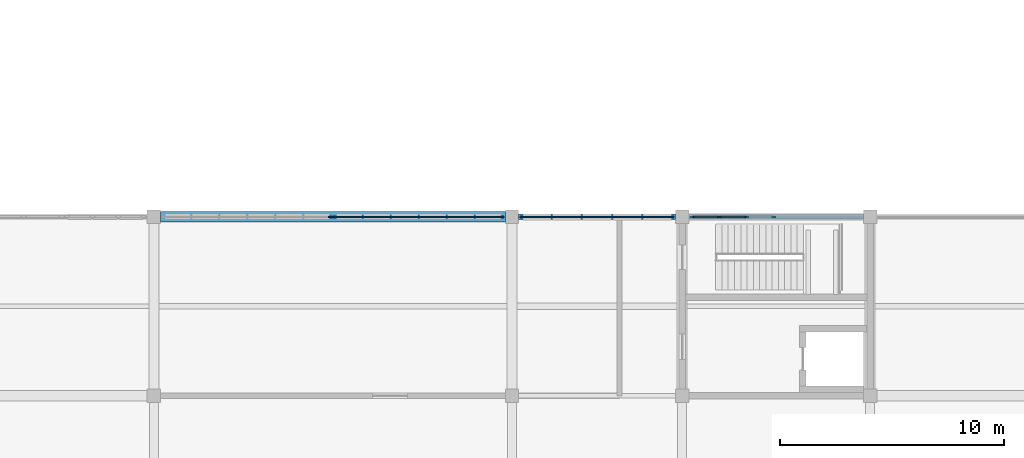
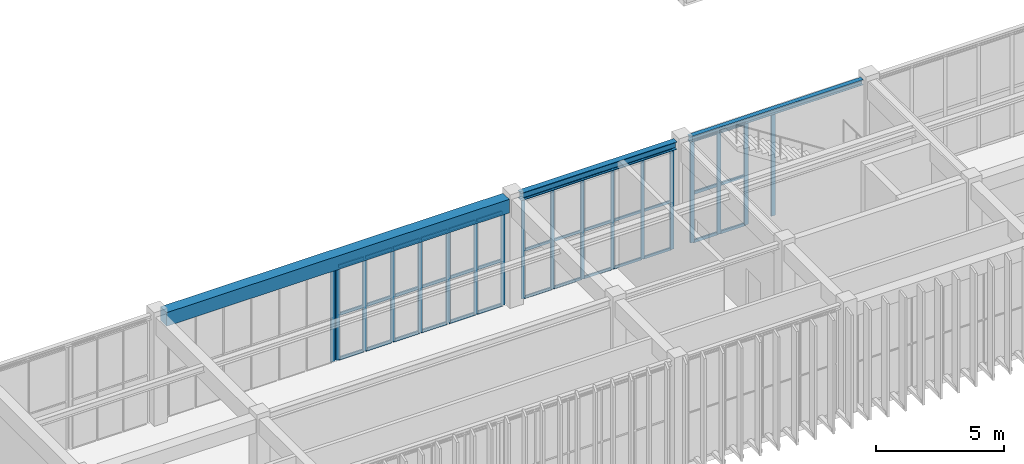
# One storey, part 14 of 64: 57 members, 3 beams, 4 elements without a shape of their own.
"""IFC4 building model written with IfcOpenShell, lengths in metres."""

from ifc_helpers import new_model, si_unit, direction, frame, origin, origin_2d, place, context, subcontext, project, spatial, rectangle, i_section, extrude, material, layer, layer_set, material_profile, profile_set, type_object, element, aggregate, save


model = new_model("IFC4")

# Units and contexts
model_context = context("Model", 3, precision=1e-05, world=origin(), true_north=direction((0.0, 1.0)))
body_context = subcontext(model_context, "Body", "Model", "MODEL_VIEW")
ifc_project = project(units=[si_unit("LENGTHUNIT", "METRE"), si_unit("AREAUNIT", "SQUARE_METRE"), si_unit("VOLUMEUNIT", "CUBIC_METRE"), si_unit("PLANEANGLEUNIT", "RADIAN"), si_unit("MASSUNIT", "GRAM", prefix="KILO")], contexts=[model_context])

# Site, building, storey
site_placement = place(None, origin())
site = spatial("IfcSite", under=ifc_project, at=site_placement, CompositionType="ELEMENT")
building_placement = place(site_placement, origin())
building = spatial("IfcBuilding", under=site, at=building_placement, Name="Cinchona Park Media Centre", CompositionType="ELEMENT")
storey_placement = place(building_placement, frame((0.0, 0.0, 10.199951171875)))
storey = spatial("IfcBuildingStorey", under=building, at=storey_placement, Name="L02", CompositionType="ELEMENT", Elevation=10.199951171875)

# Beams
ifc_material_1 = material(Name="Concrete C40/50", Category="concrete")
ifc_material_profile_1 = material_profile(ifc_material_1, rectangle(XDim=0.47998046875, YDim=0.64990234375, at=origin_2d()), Name="RB 480X650")
ifc_profile_set_1 = profile_set([ifc_material_profile_1], Name="Concrete C40/50")
beam_type_1 = type_object("IfcBeamType", Name="BEAM-B07-RB480X650", PredefinedType="BEAM", material=ifc_profile_set_1)
beam_1_placement = place(storey_placement, frame((63.10009765625, 87.60009765625, 4.8349609375), z_axis=(1.0, 0.0, 0.0), x_axis=(0.0, 1.0, 0.0)))
element("IfcBeam", 1, at=beam_1_placement, inside=storey, type_object=beam_type_1, Name="Beam B07 L02", PredefinedType="BEAM", context=body_context, shape_type="SweptSolid", body=[
    extrude(rectangle(XDim=0.47998046875, YDim=0.64990234375, at=origin_2d()), origin(), (0.0, 0.0, 1.0), 15.39990234375),
])
ifc_material_2 = material(Name="Steel S355", Category="steel")
ifc_material_profile_2 = material_profile(ifc_material_2, i_section(OverallWidth=0.257080078125, OverallDepth=0.363037109375, WebThickness=0.012939453125, FlangeThickness=0.021728515625, at=origin_2d()), Name="W360X122")
ifc_profile_set_2 = profile_set([ifc_material_profile_2], Name="Steel S355")
beam_type_2 = type_object("IfcBeamType", Name="BEAM-B08-W360X122", PredefinedType="BEAM", material=ifc_profile_set_2)
beam_2_placement = place(storey_placement, frame((79.10009765625, 87.60009765625, 4.978515625), z_axis=(1.0, 0.0, 0.0), x_axis=(0.0, 1.0, 0.0)))
element("IfcBeam", 2, at=beam_2_placement, inside=storey, type_object=beam_type_2, Name="Beam B08 L02", PredefinedType="BEAM", context=body_context, shape_type="SweptSolid", body=[
    extrude(i_section(OverallWidth=0.257080078125, OverallDepth=0.363037109375, WebThickness=0.012939453125, FlangeThickness=0.021728515625, at=origin_2d()), origin(), (0.0, 0.0, 1.0), 7.0),
])
ifc_material_3 = material(Name="Steel S355", Category="steel")
ifc_material_profile_3 = material_profile(ifc_material_3, i_section(OverallWidth=0.202880859375, OverallDepth=0.251953125, WebThickness=0.008056640625, FlangeThickness=0.013427734375, at=origin_2d()), Name="W250X58")
ifc_profile_set_3 = profile_set([ifc_material_profile_3], Name="Steel S355")
beam_type_3 = type_object("IfcBeamType", Name="BEAM-B09-W250X58", PredefinedType="BEAM", material=ifc_profile_set_3)
beam_3_placement = place(storey_placement, frame((86.699951171875, 87.60009765625, 5.033935546875), z_axis=(1.0, 0.0, 0.0), x_axis=(0.0, 1.0, 0.0)))
element("IfcBeam", 3, at=beam_3_placement, inside=storey, type_object=beam_type_3, Name="Beam B09 L02", PredefinedType="BEAM", context=body_context, shape_type="SweptSolid", body=[
    extrude(i_section(OverallWidth=0.202880859375, OverallDepth=0.251953125, WebThickness=0.008056640625, FlangeThickness=0.013427734375, at=origin_2d()), origin(), (0.0, 0.0, 1.0), 7.800048828125),
])

# Curtain wall, members
ifc_material_4 = material(Name="Aluminium Curtain Wall Framing", Category="aluminium")
ifc_layer_1 = layer(ifc_material_4, 0.22509765625)
ifc_layer_set_1 = layer_set([ifc_layer_1], Name="Aluminium Curtain Wall Framing")
curtain_wall_type_1 = type_object("IfcCurtainWallType", Name="CW-CW04", PredefinedType="USERDEFINED", material=ifc_layer_set_1)
curtain_wall_1_placement = place(storey_placement, origin())
curtain_wall_1 = element("IfcCurtainWall", 4, at=curtain_wall_1_placement, inside=storey, type_object=curtain_wall_type_1, Name="Curtain Wall CW04 L02", ObjectType="UNITISED CURTAIN WALL", PredefinedType="USERDEFINED")
ifc_material_5 = material(Name="Anodised Aluminium Alloy 6063-T6", Category="aluminium")
ifc_material_profile_4 = material_profile(ifc_material_5, rectangle(XDim=0.06494140625, YDim=0.159912109375, at=origin_2d()), Name="MUL-65X160")
ifc_profile_set_4 = profile_set([ifc_material_profile_4], Name="Anodised Aluminium Alloy 6063-T6")
member_type_1 = type_object("IfcMemberType", Name="MULLION-MUL01", PredefinedType="MULLION", material=ifc_profile_set_4)
member_1_placement = place(storey_placement, frame((79.25244140625, 87.60009765625, 0.050048828125), z_axis=(0.0, 0.0, 1.0), x_axis=(0.0, 1.0, 0.0)))
member_1 = element("IfcMember", 5, at=member_1_placement, type_object=member_type_1, Name="CW04 mullion 1", PredefinedType="MULLION", context=body_context, shape_type="SweptSolid", body=[
    extrude(rectangle(XDim=0.06494140625, YDim=0.159912109375, at=origin_2d()), origin(), (0.0, 0.0, 1.0), 4.7470703125),
])
member_2_placement = place(storey_placement, frame((80.572021484375, 87.60009765625, 0.050048828125), z_axis=(0.0, 0.0, 1.0), x_axis=(0.0, 1.0, 0.0)))
member_2 = element("IfcMember", 6, at=member_2_placement, type_object=member_type_1, Name="CW04 mullion 2", PredefinedType="MULLION", context=body_context, shape_type="SweptSolid", body=[
    extrude(rectangle(XDim=0.06494140625, YDim=0.159912109375, at=origin_2d()), origin(), (0.0, 0.0, 1.0), 4.7470703125),
])
member_3_placement = place(storey_placement, frame((81.924072265625, 87.60009765625, 0.050048828125), z_axis=(0.0, 0.0, 1.0), x_axis=(0.0, 1.0, 0.0)))
member_3 = element("IfcMember", 7, at=member_3_placement, type_object=member_type_1, Name="CW04 mullion 3", PredefinedType="MULLION", context=body_context, shape_type="SweptSolid", body=[
    extrude(rectangle(XDim=0.06494140625, YDim=0.159912109375, at=origin_2d()), origin(), (0.0, 0.0, 1.0), 4.7470703125),
])
member_4_placement = place(storey_placement, frame((83.27587890625, 87.60009765625, 0.050048828125), z_axis=(0.0, 0.0, 1.0), x_axis=(0.0, 1.0, 0.0)))
member_4 = element("IfcMember", 8, at=member_4_placement, type_object=member_type_1, Name="CW04 mullion 4", PredefinedType="MULLION", context=body_context, shape_type="SweptSolid", body=[
    extrude(rectangle(XDim=0.06494140625, YDim=0.159912109375, at=origin_2d()), origin(), (0.0, 0.0, 1.0), 4.7470703125),
])
member_5_placement = place(storey_placement, frame((84.6279296875, 87.60009765625, 0.050048828125), z_axis=(0.0, 0.0, 1.0), x_axis=(0.0, 1.0, 0.0)))
member_5 = element("IfcMember", 9, at=member_5_placement, type_object=member_type_1, Name="CW04 mullion 5", PredefinedType="MULLION", context=body_context, shape_type="SweptSolid", body=[
    extrude(rectangle(XDim=0.06494140625, YDim=0.159912109375, at=origin_2d()), origin(), (0.0, 0.0, 1.0), 4.7470703125),
])
member_6_placement = place(storey_placement, frame((85.947509765625, 87.60009765625, 0.050048828125), z_axis=(0.0, 0.0, 1.0), x_axis=(0.0, 1.0, 0.0)))
member_6 = element("IfcMember", 10, at=member_6_placement, type_object=member_type_1, Name="CW04 mullion 6", PredefinedType="MULLION", context=body_context, shape_type="SweptSolid", body=[
    extrude(rectangle(XDim=0.06494140625, YDim=0.159912109375, at=origin_2d()), origin(), (0.0, 0.0, 1.0), 4.7470703125),
])

# Curtain wall, member
ifc_material_6 = material(Name="Aluminium Curtain Wall Framing", Category="aluminium")
ifc_layer_2 = layer(ifc_material_6, 0.195068359375)
ifc_layer_set_2 = layer_set([ifc_layer_2], Name="Aluminium Curtain Wall Framing")
curtain_wall_type_2 = type_object("IfcCurtainWallType", Name="CW-CW02", PredefinedType="USERDEFINED", material=ifc_layer_set_2)
curtain_wall_2_placement = place(storey_placement, origin())
curtain_wall_2 = element("IfcCurtainWall", 11, at=curtain_wall_2_placement, inside=storey, type_object=curtain_wall_type_2, Name="Curtain Wall CW02 L02", ObjectType="UNITISED CURTAIN WALL", PredefinedType="USERDEFINED")
ifc_material_7 = material(Name="Anodised Aluminium Alloy 6063-T6", Category="aluminium")
ifc_material_profile_5 = material_profile(ifc_material_7, rectangle(XDim=0.070068359375, YDim=0.179931640625, at=origin_2d()), Name="MUL-70X180")
ifc_profile_set_5 = profile_set([ifc_material_profile_5], Name="Anodised Aluminium Alloy 6063-T6")
member_type_2 = type_object("IfcMemberType", Name="MULLION-MUL02", PredefinedType="MULLION", material=ifc_profile_set_5)
member_7_placement = place(storey_placement, frame((70.68505859375, 87.60009765625, 0.050048828125), z_axis=(0.0, 0.0, 1.0), x_axis=(0.0, 1.0, 0.0)))
member_7 = element("IfcMember", 12, at=member_7_placement, type_object=member_type_2, Name="CW02 mullion 7", PredefinedType="MULLION", context=body_context, shape_type="SweptSolid", body=[
    extrude(rectangle(XDim=0.070068359375, YDim=0.179931640625, at=origin_2d()), origin(), (0.0, 0.0, 1.0), 4.4599609375),
])
aggregate(curtain_wall_2, [member_7])

# Curtain wall, members
ifc_material_8 = material(Name="Aluminium Curtain Wall Framing", Category="aluminium")
ifc_layer_3 = layer(ifc_material_8, 0.2099609375)
ifc_layer_set_3 = layer_set([ifc_layer_3], Name="Aluminium Curtain Wall Framing")
curtain_wall_type_3 = type_object("IfcCurtainWallType", Name="CW-CW03", PredefinedType="USERDEFINED", material=ifc_layer_set_3)
curtain_wall_3_placement = place(storey_placement, origin())
curtain_wall_3 = element("IfcCurtainWall", 13, at=curtain_wall_3_placement, inside=storey, type_object=curtain_wall_type_3, Name="Curtain Wall CW03 L02", ObjectType="UNITISED CURTAIN WALL", PredefinedType="USERDEFINED")
member_8_placement = place(storey_placement, frame((70.9150390625, 87.60009765625, 0.050048828125), z_axis=(0.0, 0.0, 1.0), x_axis=(0.0, 1.0, 0.0)))
member_8 = element("IfcMember", 14, at=member_8_placement, type_object=member_type_2, Name="CW03 mullion 1", PredefinedType="MULLION", context=body_context, shape_type="SweptSolid", body=[
    extrude(rectangle(XDim=0.070068359375, YDim=0.179931640625, at=origin_2d()), origin(), (0.0, 0.0, 1.0), 4.4599609375),
])
member_9_placement = place(storey_placement, frame((72.1298828125, 87.60009765625, 0.050048828125), z_axis=(0.0, 0.0, 1.0), x_axis=(0.0, 1.0, 0.0)))
member_9 = element("IfcMember", 15, at=member_9_placement, type_object=member_type_2, Name="CW03 mullion 2", PredefinedType="MULLION", context=body_context, shape_type="SweptSolid", body=[
    extrude(rectangle(XDim=0.070068359375, YDim=0.179931640625, at=origin_2d()), origin(), (0.0, 0.0, 1.0), 4.4599609375),
])
member_10_placement = place(storey_placement, frame((73.3798828125, 87.60009765625, 0.050048828125), z_axis=(0.0, 0.0, 1.0), x_axis=(0.0, 1.0, 0.0)))
member_10 = element("IfcMember", 16, at=member_10_placement, type_object=member_type_2, Name="CW03 mullion 3", PredefinedType="MULLION", context=body_context, shape_type="SweptSolid", body=[
    extrude(rectangle(XDim=0.070068359375, YDim=0.179931640625, at=origin_2d()), origin(), (0.0, 0.0, 1.0), 4.4599609375),
])
member_11_placement = place(storey_placement, frame((74.6298828125, 87.60009765625, 0.050048828125), z_axis=(0.0, 0.0, 1.0), x_axis=(0.0, 1.0, 0.0)))
member_11 = element("IfcMember", 17, at=member_11_placement, type_object=member_type_2, Name="CW03 mullion 4", PredefinedType="MULLION", context=body_context, shape_type="SweptSolid", body=[
    extrude(rectangle(XDim=0.070068359375, YDim=0.179931640625, at=origin_2d()), origin(), (0.0, 0.0, 1.0), 4.4599609375),
])
member_12_placement = place(storey_placement, frame((75.8798828125, 87.60009765625, 0.050048828125), z_axis=(0.0, 0.0, 1.0), x_axis=(0.0, 1.0, 0.0)))
member_12 = element("IfcMember", 18, at=member_12_placement, type_object=member_type_2, Name="CW03 mullion 5", PredefinedType="MULLION", context=body_context, shape_type="SweptSolid", body=[
    extrude(rectangle(XDim=0.070068359375, YDim=0.179931640625, at=origin_2d()), origin(), (0.0, 0.0, 1.0), 4.4599609375),
])
member_13_placement = place(storey_placement, frame((77.1298828125, 87.60009765625, 0.050048828125), z_axis=(0.0, 0.0, 1.0), x_axis=(0.0, 1.0, 0.0)))
member_13 = element("IfcMember", 19, at=member_13_placement, type_object=member_type_2, Name="CW03 mullion 6", PredefinedType="MULLION", context=body_context, shape_type="SweptSolid", body=[
    extrude(rectangle(XDim=0.070068359375, YDim=0.179931640625, at=origin_2d()), origin(), (0.0, 0.0, 1.0), 4.4599609375),
])
member_14_placement = place(storey_placement, frame((78.344970703125, 87.60009765625, 0.050048828125), z_axis=(0.0, 0.0, 1.0), x_axis=(0.0, 1.0, 0.0)))
member_14 = element("IfcMember", 20, at=member_14_placement, type_object=member_type_2, Name="CW03 mullion 7", PredefinedType="MULLION", context=body_context, shape_type="SweptSolid", body=[
    extrude(rectangle(XDim=0.070068359375, YDim=0.179931640625, at=origin_2d()), origin(), (0.0, 0.0, 1.0), 4.4599609375),
])

ifc_material_9 = material(Name="Aluminium Curtain Wall Framing", Category="aluminium")
ifc_layer_4 = layer(ifc_material_9, 0.239990234375)
ifc_layer_set_4 = layer_set([ifc_layer_4], Name="Aluminium Curtain Wall Framing")
curtain_wall_type_4 = type_object("IfcCurtainWallType", Name="CW-CW05", PredefinedType="USERDEFINED", material=ifc_layer_set_4)
curtain_wall_4_placement = place(storey_placement, origin())
curtain_wall_4 = element("IfcCurtainWall", 21, at=curtain_wall_4_placement, inside=storey, type_object=curtain_wall_type_4, Name="Curtain Wall CW05 L02", ObjectType="UNITISED CURTAIN WALL", PredefinedType="USERDEFINED")
member_15_placement = place(storey_placement, frame((86.85498046875, 87.60009765625, 0.050048828125), z_axis=(0.0, 0.0, 1.0), x_axis=(0.0, 1.0, 0.0)))
member_15 = element("IfcMember", 22, at=member_15_placement, type_object=member_type_2, Name="CW05 mullion 1", PredefinedType="MULLION", context=body_context, shape_type="SweptSolid", body=[
    extrude(rectangle(XDim=0.070068359375, YDim=0.179931640625, at=origin_2d()), origin(), (0.0, 0.0, 1.0), 4.85791015625),
])
member_16_placement = place(storey_placement, frame((88.05322265625, 87.60009765625, 0.050048828125), z_axis=(0.0, 0.0, 1.0), x_axis=(0.0, 1.0, 0.0)))
member_16 = element("IfcMember", 23, at=member_16_placement, type_object=member_type_2, Name="CW05 mullion 2", PredefinedType="MULLION", context=body_context, shape_type="SweptSolid", body=[
    extrude(rectangle(XDim=0.070068359375, YDim=0.179931640625, at=origin_2d()), origin(), (0.0, 0.0, 1.0), 4.85791015625),
])
member_17_placement = place(storey_placement, frame((89.28662109375, 87.60009765625, 0.050048828125), z_axis=(0.0, 0.0, 1.0), x_axis=(0.0, 1.0, 0.0)))
member_17 = element("IfcMember", 24, at=member_17_placement, type_object=member_type_2, Name="CW05 mullion 3", PredefinedType="MULLION", context=body_context, shape_type="SweptSolid", body=[
    extrude(rectangle(XDim=0.070068359375, YDim=0.179931640625, at=origin_2d()), origin(), (0.0, 0.0, 1.0), 4.85791015625),
])
member_18_placement = place(storey_placement, frame((90.485107421875, 87.60009765625, 0.050048828125), z_axis=(0.0, 0.0, 1.0), x_axis=(0.0, 1.0, 0.0)))
member_18 = element("IfcMember", 25, at=member_18_placement, type_object=member_type_2, Name="CW05 mullion 4", PredefinedType="MULLION", context=body_context, shape_type="SweptSolid", body=[
    extrude(rectangle(XDim=0.070068359375, YDim=0.179931640625, at=origin_2d()), origin(), (0.0, 0.0, 1.0), 4.85791015625),
])

# Member
ifc_material_10 = material(Name="Anodised Aluminium Alloy 6063-T6", Category="aluminium")
ifc_material_profile_6 = material_profile(ifc_material_10, rectangle(XDim=0.06494140625, YDim=0.1201171875, at=origin_2d()), Name="TRN-65X120")
ifc_profile_set_6 = profile_set([ifc_material_profile_6], Name="Anodised Aluminium Alloy 6063-T6")
member_type_3 = type_object("IfcMemberType", Name="TRANSOM-TRN01", PredefinedType="USERDEFINED", material=ifc_profile_set_6)
member_19_placement = place(storey_placement, frame((79.284912109375, 87.60009765625, 0.08251953125), z_axis=(1.0, 0.0, 0.0), x_axis=(0.0, 1.0, 0.0)))
member_19 = element("IfcMember", 26, at=member_19_placement, type_object=member_type_3, Name="CW04 transom 1.1", ObjectType="TRANSOM", PredefinedType="USERDEFINED", context=body_context, shape_type="SweptSolid", body=[
    extrude(rectangle(XDim=0.06494140625, YDim=0.1201171875, at=origin_2d()), origin(), (0.0, 0.0, 1.0), 1.254638671875),
])

member_20_placement = place(storey_placement, frame((79.284912109375, 87.60009765625, 2.3291015625), z_axis=(1.0, 0.0, 0.0), x_axis=(0.0, 1.0, 0.0)))
member_20 = element("IfcMember", 27, at=member_20_placement, type_object=member_type_3, Name="CW04 transom 1.2", ObjectType="TRANSOM", PredefinedType="USERDEFINED", context=body_context, shape_type="SweptSolid", body=[
    extrude(rectangle(XDim=0.06494140625, YDim=0.1201171875, at=origin_2d()), origin(), (0.0, 0.0, 1.0), 1.254638671875),
])

member_21_placement = place(storey_placement, frame((79.284912109375, 87.60009765625, 4.7646484375), z_axis=(1.0, 0.0, 0.0), x_axis=(0.0, 1.0, 0.0)))
member_21 = element("IfcMember", 28, at=member_21_placement, type_object=member_type_3, Name="CW04 transom 1.3", ObjectType="TRANSOM", PredefinedType="USERDEFINED", context=body_context, shape_type="SweptSolid", body=[
    extrude(rectangle(XDim=0.06494140625, YDim=0.1201171875, at=origin_2d()), origin(), (0.0, 0.0, 1.0), 1.254638671875),
])

member_22_placement = place(storey_placement, frame((80.6044921875, 87.60009765625, 0.08251953125), z_axis=(1.0, 0.0, 0.0), x_axis=(0.0, 1.0, 0.0)))
member_22 = element("IfcMember", 29, at=member_22_placement, type_object=member_type_3, Name="CW04 transom 2.1", ObjectType="TRANSOM", PredefinedType="USERDEFINED", context=body_context, shape_type="SweptSolid", body=[
    extrude(rectangle(XDim=0.06494140625, YDim=0.1201171875, at=origin_2d()), origin(), (0.0, 0.0, 1.0), 1.287109375),
])

member_23_placement = place(storey_placement, frame((80.6044921875, 87.60009765625, 2.3291015625), z_axis=(1.0, 0.0, 0.0), x_axis=(0.0, 1.0, 0.0)))
member_23 = element("IfcMember", 30, at=member_23_placement, type_object=member_type_3, Name="CW04 transom 2.2", ObjectType="TRANSOM", PredefinedType="USERDEFINED", context=body_context, shape_type="SweptSolid", body=[
    extrude(rectangle(XDim=0.06494140625, YDim=0.1201171875, at=origin_2d()), origin(), (0.0, 0.0, 1.0), 1.287109375),
])

member_24_placement = place(storey_placement, frame((80.6044921875, 87.60009765625, 4.7646484375), z_axis=(1.0, 0.0, 0.0), x_axis=(0.0, 1.0, 0.0)))
member_24 = element("IfcMember", 31, at=member_24_placement, type_object=member_type_3, Name="CW04 transom 2.3", ObjectType="TRANSOM", PredefinedType="USERDEFINED", context=body_context, shape_type="SweptSolid", body=[
    extrude(rectangle(XDim=0.06494140625, YDim=0.1201171875, at=origin_2d()), origin(), (0.0, 0.0, 1.0), 1.287109375),
])

member_25_placement = place(storey_placement, frame((81.95654296875, 87.60009765625, 0.08251953125), z_axis=(1.0, 0.0, 0.0), x_axis=(0.0, 1.0, 0.0)))
member_25 = element("IfcMember", 32, at=member_25_placement, type_object=member_type_3, Name="CW04 transom 3.1", ObjectType="TRANSOM", PredefinedType="USERDEFINED", context=body_context, shape_type="SweptSolid", body=[
    extrude(rectangle(XDim=0.06494140625, YDim=0.1201171875, at=origin_2d()), origin(), (0.0, 0.0, 1.0), 1.286865234375),
])

member_26_placement = place(storey_placement, frame((81.95654296875, 87.60009765625, 2.3291015625), z_axis=(1.0, 0.0, 0.0), x_axis=(0.0, 1.0, 0.0)))
member_26 = element("IfcMember", 33, at=member_26_placement, type_object=member_type_3, Name="CW04 transom 3.2", ObjectType="TRANSOM", PredefinedType="USERDEFINED", context=body_context, shape_type="SweptSolid", body=[
    extrude(rectangle(XDim=0.06494140625, YDim=0.1201171875, at=origin_2d()), origin(), (0.0, 0.0, 1.0), 1.286865234375),
])

member_27_placement = place(storey_placement, frame((81.95654296875, 87.60009765625, 4.7646484375), z_axis=(1.0, 0.0, 0.0), x_axis=(0.0, 1.0, 0.0)))
member_27 = element("IfcMember", 34, at=member_27_placement, type_object=member_type_3, Name="CW04 transom 3.3", ObjectType="TRANSOM", PredefinedType="USERDEFINED", context=body_context, shape_type="SweptSolid", body=[
    extrude(rectangle(XDim=0.06494140625, YDim=0.1201171875, at=origin_2d()), origin(), (0.0, 0.0, 1.0), 1.286865234375),
])

member_28_placement = place(storey_placement, frame((83.30859375, 87.60009765625, 0.08251953125), z_axis=(1.0, 0.0, 0.0), x_axis=(0.0, 1.0, 0.0)))
member_28 = element("IfcMember", 35, at=member_28_placement, type_object=member_type_3, Name="CW04 transom 4.1", ObjectType="TRANSOM", PredefinedType="USERDEFINED", context=body_context, shape_type="SweptSolid", body=[
    extrude(rectangle(XDim=0.06494140625, YDim=0.1201171875, at=origin_2d()), origin(), (0.0, 0.0, 1.0), 1.286865234375),
])

member_29_placement = place(storey_placement, frame((83.30859375, 87.60009765625, 2.3291015625), z_axis=(1.0, 0.0, 0.0), x_axis=(0.0, 1.0, 0.0)))
member_29 = element("IfcMember", 36, at=member_29_placement, type_object=member_type_3, Name="CW04 transom 4.2", ObjectType="TRANSOM", PredefinedType="USERDEFINED", context=body_context, shape_type="SweptSolid", body=[
    extrude(rectangle(XDim=0.06494140625, YDim=0.1201171875, at=origin_2d()), origin(), (0.0, 0.0, 1.0), 1.286865234375),
])

member_30_placement = place(storey_placement, frame((83.30859375, 87.60009765625, 4.7646484375), z_axis=(1.0, 0.0, 0.0), x_axis=(0.0, 1.0, 0.0)))
member_30 = element("IfcMember", 37, at=member_30_placement, type_object=member_type_3, Name="CW04 transom 4.3", ObjectType="TRANSOM", PredefinedType="USERDEFINED", context=body_context, shape_type="SweptSolid", body=[
    extrude(rectangle(XDim=0.06494140625, YDim=0.1201171875, at=origin_2d()), origin(), (0.0, 0.0, 1.0), 1.286865234375),
])

member_31_placement = place(storey_placement, frame((84.660400390625, 87.60009765625, 0.08251953125), z_axis=(1.0, 0.0, 0.0), x_axis=(0.0, 1.0, 0.0)))
member_31 = element("IfcMember", 38, at=member_31_placement, type_object=member_type_3, Name="CW04 transom 5.1", ObjectType="TRANSOM", PredefinedType="USERDEFINED", context=body_context, shape_type="SweptSolid", body=[
    extrude(rectangle(XDim=0.06494140625, YDim=0.1201171875, at=origin_2d()), origin(), (0.0, 0.0, 1.0), 1.254638671875),
])

member_32_placement = place(storey_placement, frame((84.660400390625, 87.60009765625, 2.3291015625), z_axis=(1.0, 0.0, 0.0), x_axis=(0.0, 1.0, 0.0)))
member_32 = element("IfcMember", 39, at=member_32_placement, type_object=member_type_3, Name="CW04 transom 5.2", ObjectType="TRANSOM", PredefinedType="USERDEFINED", context=body_context, shape_type="SweptSolid", body=[
    extrude(rectangle(XDim=0.06494140625, YDim=0.1201171875, at=origin_2d()), origin(), (0.0, 0.0, 1.0), 1.254638671875),
])

member_33_placement = place(storey_placement, frame((84.660400390625, 87.60009765625, 4.7646484375), z_axis=(1.0, 0.0, 0.0), x_axis=(0.0, 1.0, 0.0)))
member_33 = element("IfcMember", 40, at=member_33_placement, type_object=member_type_3, Name="CW04 transom 5.3", ObjectType="TRANSOM", PredefinedType="USERDEFINED", context=body_context, shape_type="SweptSolid", body=[
    extrude(rectangle(XDim=0.06494140625, YDim=0.1201171875, at=origin_2d()), origin(), (0.0, 0.0, 1.0), 1.254638671875),
])

aggregate(curtain_wall_1, [member_1, member_2, member_3, member_4, member_5, member_6, member_19, member_20, member_21, member_22, member_23, member_24, member_25, member_26, member_27, member_28, member_29, member_30, member_31, member_32, member_33])

ifc_material_11 = material(Name="Anodised Aluminium Alloy 6063-T6", Category="aluminium")
ifc_material_profile_7 = material_profile(ifc_material_11, rectangle(XDim=0.070068359375, YDim=0.139892578125, at=origin_2d()), Name="TRN-70X140")
ifc_profile_set_7 = profile_set([ifc_material_profile_7], Name="Anodised Aluminium Alloy 6063-T6")
member_type_4 = type_object("IfcMemberType", Name="TRANSOM-TRN02", PredefinedType="USERDEFINED", material=ifc_profile_set_7)
member_34_placement = place(storey_placement, frame((70.949951171875, 87.60009765625, 0.0849609375), z_axis=(1.0, 0.0, 0.0), x_axis=(0.0, 1.0, 0.0)))
member_34 = element("IfcMember", 41, at=member_34_placement, type_object=member_type_4, Name="CW03 transom 1.1", ObjectType="TRANSOM", PredefinedType="USERDEFINED", context=body_context, shape_type="SweptSolid", body=[
    extrude(rectangle(XDim=0.070068359375, YDim=0.139892578125, at=origin_2d()), origin(), (0.0, 0.0, 1.0), 1.14501953125),
])

member_35_placement = place(storey_placement, frame((70.949951171875, 87.60009765625, 2.191162109375), z_axis=(1.0, 0.0, 0.0), x_axis=(0.0, 1.0, 0.0)))
member_35 = element("IfcMember", 42, at=member_35_placement, type_object=member_type_4, Name="CW03 transom 1.2", ObjectType="TRANSOM", PredefinedType="USERDEFINED", context=body_context, shape_type="SweptSolid", body=[
    extrude(rectangle(XDim=0.070068359375, YDim=0.139892578125, at=origin_2d()), origin(), (0.0, 0.0, 1.0), 1.14501953125),
])

member_36_placement = place(storey_placement, frame((70.949951171875, 87.60009765625, 4.47509765625), z_axis=(1.0, 0.0, 0.0), x_axis=(0.0, 1.0, 0.0)))
member_36 = element("IfcMember", 43, at=member_36_placement, type_object=member_type_4, Name="CW03 transom 1.3", ObjectType="TRANSOM", PredefinedType="USERDEFINED", context=body_context, shape_type="SweptSolid", body=[
    extrude(rectangle(XDim=0.070068359375, YDim=0.139892578125, at=origin_2d()), origin(), (0.0, 0.0, 1.0), 1.14501953125),
])

member_37_placement = place(storey_placement, frame((72.1650390625, 87.60009765625, 0.0849609375), z_axis=(1.0, 0.0, 0.0), x_axis=(0.0, 1.0, 0.0)))
member_37 = element("IfcMember", 44, at=member_37_placement, type_object=member_type_4, Name="CW03 transom 2.1", ObjectType="TRANSOM", PredefinedType="USERDEFINED", context=body_context, shape_type="SweptSolid", body=[
    extrude(rectangle(XDim=0.070068359375, YDim=0.139892578125, at=origin_2d()), origin(), (0.0, 0.0, 1.0), 1.179931640625),
])

member_38_placement = place(storey_placement, frame((72.1650390625, 87.60009765625, 2.191162109375), z_axis=(1.0, 0.0, 0.0), x_axis=(0.0, 1.0, 0.0)))
member_38 = element("IfcMember", 45, at=member_38_placement, type_object=member_type_4, Name="CW03 transom 2.2", ObjectType="TRANSOM", PredefinedType="USERDEFINED", context=body_context, shape_type="SweptSolid", body=[
    extrude(rectangle(XDim=0.070068359375, YDim=0.139892578125, at=origin_2d()), origin(), (0.0, 0.0, 1.0), 1.179931640625),
])

member_39_placement = place(storey_placement, frame((72.1650390625, 87.60009765625, 4.47509765625), z_axis=(1.0, 0.0, 0.0), x_axis=(0.0, 1.0, 0.0)))
member_39 = element("IfcMember", 46, at=member_39_placement, type_object=member_type_4, Name="CW03 transom 2.3", ObjectType="TRANSOM", PredefinedType="USERDEFINED", context=body_context, shape_type="SweptSolid", body=[
    extrude(rectangle(XDim=0.070068359375, YDim=0.139892578125, at=origin_2d()), origin(), (0.0, 0.0, 1.0), 1.179931640625),
])

member_40_placement = place(storey_placement, frame((73.4150390625, 87.60009765625, 0.0849609375), z_axis=(1.0, 0.0, 0.0), x_axis=(0.0, 1.0, 0.0)))
member_40 = element("IfcMember", 47, at=member_40_placement, type_object=member_type_4, Name="CW03 transom 3.1", ObjectType="TRANSOM", PredefinedType="USERDEFINED", context=body_context, shape_type="SweptSolid", body=[
    extrude(rectangle(XDim=0.070068359375, YDim=0.139892578125, at=origin_2d()), origin(), (0.0, 0.0, 1.0), 1.179931640625),
])

member_41_placement = place(storey_placement, frame((73.4150390625, 87.60009765625, 2.191162109375), z_axis=(1.0, 0.0, 0.0), x_axis=(0.0, 1.0, 0.0)))
member_41 = element("IfcMember", 48, at=member_41_placement, type_object=member_type_4, Name="CW03 transom 3.2", ObjectType="TRANSOM", PredefinedType="USERDEFINED", context=body_context, shape_type="SweptSolid", body=[
    extrude(rectangle(XDim=0.070068359375, YDim=0.139892578125, at=origin_2d()), origin(), (0.0, 0.0, 1.0), 1.179931640625),
])

member_42_placement = place(storey_placement, frame((73.4150390625, 87.60009765625, 4.47509765625), z_axis=(1.0, 0.0, 0.0), x_axis=(0.0, 1.0, 0.0)))
member_42 = element("IfcMember", 49, at=member_42_placement, type_object=member_type_4, Name="CW03 transom 3.3", ObjectType="TRANSOM", PredefinedType="USERDEFINED", context=body_context, shape_type="SweptSolid", body=[
    extrude(rectangle(XDim=0.070068359375, YDim=0.139892578125, at=origin_2d()), origin(), (0.0, 0.0, 1.0), 1.179931640625),
])

member_43_placement = place(storey_placement, frame((74.6650390625, 87.60009765625, 0.0849609375), z_axis=(1.0, 0.0, 0.0), x_axis=(0.0, 1.0, 0.0)))
member_43 = element("IfcMember", 50, at=member_43_placement, type_object=member_type_4, Name="CW03 transom 4.1", ObjectType="TRANSOM", PredefinedType="USERDEFINED", context=body_context, shape_type="SweptSolid", body=[
    extrude(rectangle(XDim=0.070068359375, YDim=0.139892578125, at=origin_2d()), origin(), (0.0, 0.0, 1.0), 1.179931640625),
])

member_44_placement = place(storey_placement, frame((74.6650390625, 87.60009765625, 2.191162109375), z_axis=(1.0, 0.0, 0.0), x_axis=(0.0, 1.0, 0.0)))
member_44 = element("IfcMember", 51, at=member_44_placement, type_object=member_type_4, Name="CW03 transom 4.2", ObjectType="TRANSOM", PredefinedType="USERDEFINED", context=body_context, shape_type="SweptSolid", body=[
    extrude(rectangle(XDim=0.070068359375, YDim=0.139892578125, at=origin_2d()), origin(), (0.0, 0.0, 1.0), 1.179931640625),
])

member_45_placement = place(storey_placement, frame((74.6650390625, 87.60009765625, 4.47509765625), z_axis=(1.0, 0.0, 0.0), x_axis=(0.0, 1.0, 0.0)))
member_45 = element("IfcMember", 52, at=member_45_placement, type_object=member_type_4, Name="CW03 transom 4.3", ObjectType="TRANSOM", PredefinedType="USERDEFINED", context=body_context, shape_type="SweptSolid", body=[
    extrude(rectangle(XDim=0.070068359375, YDim=0.139892578125, at=origin_2d()), origin(), (0.0, 0.0, 1.0), 1.179931640625),
])

member_46_placement = place(storey_placement, frame((75.9150390625, 87.60009765625, 0.0849609375), z_axis=(1.0, 0.0, 0.0), x_axis=(0.0, 1.0, 0.0)))
member_46 = element("IfcMember", 53, at=member_46_placement, type_object=member_type_4, Name="CW03 transom 5.1", ObjectType="TRANSOM", PredefinedType="USERDEFINED", context=body_context, shape_type="SweptSolid", body=[
    extrude(rectangle(XDim=0.070068359375, YDim=0.139892578125, at=origin_2d()), origin(), (0.0, 0.0, 1.0), 1.179931640625),
])

member_47_placement = place(storey_placement, frame((75.9150390625, 87.60009765625, 2.191162109375), z_axis=(1.0, 0.0, 0.0), x_axis=(0.0, 1.0, 0.0)))
member_47 = element("IfcMember", 54, at=member_47_placement, type_object=member_type_4, Name="CW03 transom 5.2", ObjectType="TRANSOM", PredefinedType="USERDEFINED", context=body_context, shape_type="SweptSolid", body=[
    extrude(rectangle(XDim=0.070068359375, YDim=0.139892578125, at=origin_2d()), origin(), (0.0, 0.0, 1.0), 1.179931640625),
])

member_48_placement = place(storey_placement, frame((75.9150390625, 87.60009765625, 4.47509765625), z_axis=(1.0, 0.0, 0.0), x_axis=(0.0, 1.0, 0.0)))
member_48 = element("IfcMember", 55, at=member_48_placement, type_object=member_type_4, Name="CW03 transom 5.3", ObjectType="TRANSOM", PredefinedType="USERDEFINED", context=body_context, shape_type="SweptSolid", body=[
    extrude(rectangle(XDim=0.070068359375, YDim=0.139892578125, at=origin_2d()), origin(), (0.0, 0.0, 1.0), 1.179931640625),
])

member_49_placement = place(storey_placement, frame((77.1650390625, 87.60009765625, 0.0849609375), z_axis=(1.0, 0.0, 0.0), x_axis=(0.0, 1.0, 0.0)))
member_49 = element("IfcMember", 56, at=member_49_placement, type_object=member_type_4, Name="CW03 transom 6.1", ObjectType="TRANSOM", PredefinedType="USERDEFINED", context=body_context, shape_type="SweptSolid", body=[
    extrude(rectangle(XDim=0.070068359375, YDim=0.139892578125, at=origin_2d()), origin(), (0.0, 0.0, 1.0), 1.14501953125),
])

member_50_placement = place(storey_placement, frame((77.1650390625, 87.60009765625, 2.191162109375), z_axis=(1.0, 0.0, 0.0), x_axis=(0.0, 1.0, 0.0)))
member_50 = element("IfcMember", 57, at=member_50_placement, type_object=member_type_4, Name="CW03 transom 6.2", ObjectType="TRANSOM", PredefinedType="USERDEFINED", context=body_context, shape_type="SweptSolid", body=[
    extrude(rectangle(XDim=0.070068359375, YDim=0.139892578125, at=origin_2d()), origin(), (0.0, 0.0, 1.0), 1.14501953125),
])

member_51_placement = place(storey_placement, frame((77.1650390625, 87.60009765625, 4.47509765625), z_axis=(1.0, 0.0, 0.0), x_axis=(0.0, 1.0, 0.0)))
member_51 = element("IfcMember", 58, at=member_51_placement, type_object=member_type_4, Name="CW03 transom 6.3", ObjectType="TRANSOM", PredefinedType="USERDEFINED", context=body_context, shape_type="SweptSolid", body=[
    extrude(rectangle(XDim=0.070068359375, YDim=0.139892578125, at=origin_2d()), origin(), (0.0, 0.0, 1.0), 1.14501953125),
])

aggregate(curtain_wall_3, [member_8, member_9, member_10, member_11, member_12, member_13, member_14, member_34, member_35, member_36, member_37, member_38, member_39, member_40, member_41, member_42, member_43, member_44, member_45, member_46, member_47, member_48, member_49, member_50, member_51])

member_52_placement = place(storey_placement, frame((86.889892578125, 87.60009765625, 0.0849609375), z_axis=(1.0, 0.0, 0.0), x_axis=(0.0, 1.0, 0.0)))
member_52 = element("IfcMember", 59, at=member_52_placement, type_object=member_type_4, Name="CW05 transom 1.1", ObjectType="TRANSOM", PredefinedType="USERDEFINED", context=body_context, shape_type="SweptSolid", body=[
    extrude(rectangle(XDim=0.070068359375, YDim=0.139892578125, at=origin_2d()), origin(), (0.0, 0.0, 1.0), 1.12841796875),
])

member_53_placement = place(storey_placement, frame((86.889892578125, 87.60009765625, 2.382080078125), z_axis=(1.0, 0.0, 0.0), x_axis=(0.0, 1.0, 0.0)))
member_53 = element("IfcMember", 60, at=member_53_placement, type_object=member_type_4, Name="CW05 transom 1.2", ObjectType="TRANSOM", PredefinedType="USERDEFINED", context=body_context, shape_type="SweptSolid", body=[
    extrude(rectangle(XDim=0.070068359375, YDim=0.139892578125, at=origin_2d()), origin(), (0.0, 0.0, 1.0), 1.12841796875),
])

member_54_placement = place(storey_placement, frame((86.889892578125, 87.60009765625, 4.873046875), z_axis=(1.0, 0.0, 0.0), x_axis=(0.0, 1.0, 0.0)))
member_54 = element("IfcMember", 61, at=member_54_placement, type_object=member_type_4, Name="CW05 transom 1.3", ObjectType="TRANSOM", PredefinedType="USERDEFINED", context=body_context, shape_type="SweptSolid", body=[
    extrude(rectangle(XDim=0.070068359375, YDim=0.139892578125, at=origin_2d()), origin(), (0.0, 0.0, 1.0), 1.12841796875),
])

member_55_placement = place(storey_placement, frame((88.08837890625, 87.60009765625, 0.0849609375), z_axis=(1.0, 0.0, 0.0), x_axis=(0.0, 1.0, 0.0)))
member_55 = element("IfcMember", 62, at=member_55_placement, type_object=member_type_4, Name="CW05 transom 2.1", ObjectType="TRANSOM", PredefinedType="USERDEFINED", context=body_context, shape_type="SweptSolid", body=[
    extrude(rectangle(XDim=0.070068359375, YDim=0.139892578125, at=origin_2d()), origin(), (0.0, 0.0, 1.0), 1.163330078125),
])

member_56_placement = place(storey_placement, frame((88.08837890625, 87.60009765625, 2.382080078125), z_axis=(1.0, 0.0, 0.0), x_axis=(0.0, 1.0, 0.0)))
member_56 = element("IfcMember", 63, at=member_56_placement, type_object=member_type_4, Name="CW05 transom 2.2", ObjectType="TRANSOM", PredefinedType="USERDEFINED", context=body_context, shape_type="SweptSolid", body=[
    extrude(rectangle(XDim=0.070068359375, YDim=0.139892578125, at=origin_2d()), origin(), (0.0, 0.0, 1.0), 1.163330078125),
])

member_57_placement = place(storey_placement, frame((88.08837890625, 87.60009765625, 4.873046875), z_axis=(1.0, 0.0, 0.0), x_axis=(0.0, 1.0, 0.0)))
member_57 = element("IfcMember", 64, at=member_57_placement, type_object=member_type_4, Name="CW05 transom 2.3", ObjectType="TRANSOM", PredefinedType="USERDEFINED", context=body_context, shape_type="SweptSolid", body=[
    extrude(rectangle(XDim=0.070068359375, YDim=0.139892578125, at=origin_2d()), origin(), (0.0, 0.0, 1.0), 1.163330078125),
])

aggregate(curtain_wall_4, [member_15, member_16, member_17, member_18, member_52, member_53, member_54, member_55, member_56, member_57])

save(model, "model.ifc")
